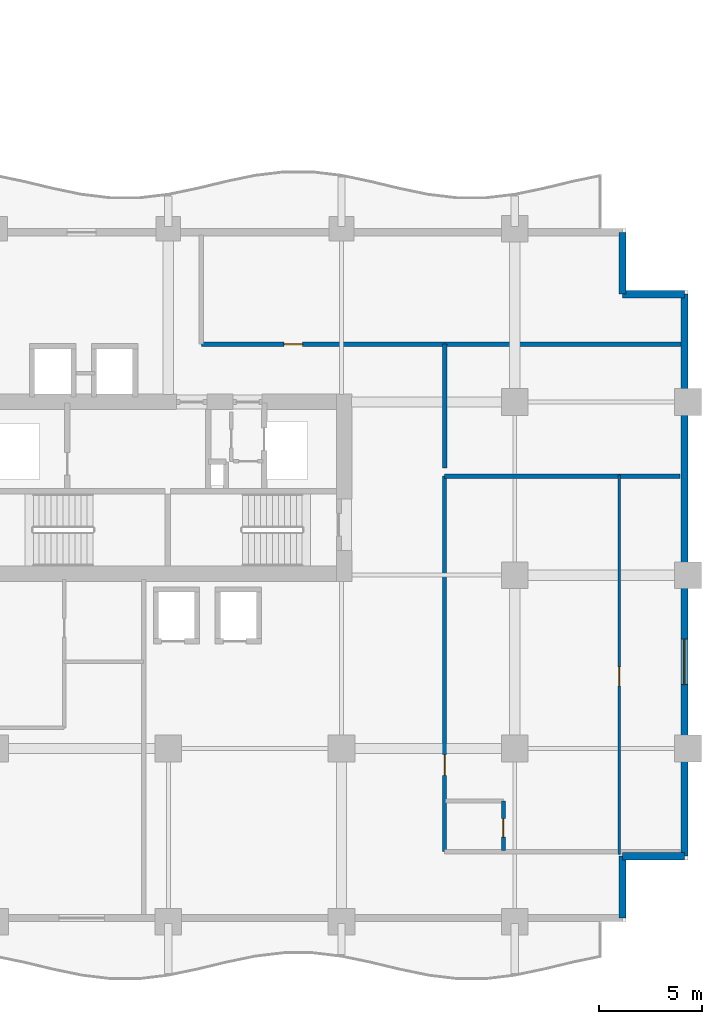
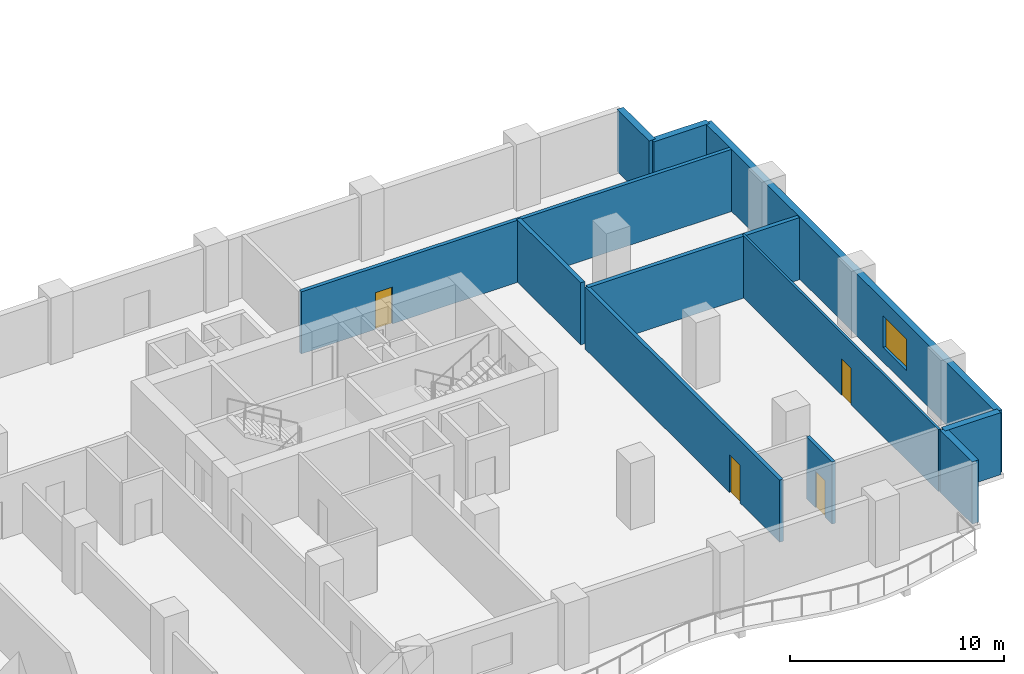
# One storey, part 10 of 17: 11 walls, 4 doors, 1 window, 5 openings.
"""IFC4 building model written with IfcOpenShell, lengths in metres."""

from ifc_helpers import new_model, si_unit, direction, frame, frame_2d, origin, place, context, subcontext, project, spatial, rectangle, extrude, material, layer, layer_set, type_object, element, fill, save


model = new_model("IFC4")

# Units and contexts
model_context = context("Model", 3, precision=1e-05, world=origin(), true_north=direction((0.0, 1.0)))
body_context = subcontext(model_context, "Body", "Model", "MODEL_VIEW")
ifc_project = project(units=[si_unit("LENGTHUNIT", "METRE"), si_unit("AREAUNIT", "SQUARE_METRE"), si_unit("VOLUMEUNIT", "CUBIC_METRE"), si_unit("PLANEANGLEUNIT", "RADIAN"), si_unit("MASSUNIT", "GRAM", prefix="KILO")], contexts=[model_context])

# Site, building, storey
site_placement = place(None, origin())
site = spatial("IfcSite", under=ifc_project, at=site_placement, CompositionType="ELEMENT")
building_placement = place(site_placement, origin())
building = spatial("IfcBuilding", under=site, at=building_placement, Name="Koriwani Terraces Tower", CompositionType="ELEMENT")
storey_placement = place(building_placement, frame((0.0, 0.0, 130.39990234375)))
storey = spatial("IfcBuildingStorey", under=building, at=storey_placement, Name="L31", CompositionType="ELEMENT", Elevation=130.39990234375)

# Wall, opening, door
ifc_material_1 = material(Name="Autoclaved Cellular Concrete Blockwork", Category="masonry")
ifc_layer_1 = layer(ifc_material_1, 0.199951171875, Name="Autoclaved Cellular Concrete Blockwork")
ifc_layer_set_1 = layer_set([ifc_layer_1], Name="Autoclaved Cellular Concrete Blockwork")
wall_type_1 = type_object("IfcWallType", Name="WALL_CORRIDOR_200", PredefinedType="PARTITIONING", material=ifc_layer_set_1)
wall_1_placement = place(storey_placement, frame((63.800048828125, 3.39990234375, 0.0), z_axis=(0.0, 0.0, 1.0), x_axis=(0.0, 1.0, 0.0)))
wall_1 = element("IfcWall", 1, at=wall_1_placement, inside=storey, type_object=wall_type_1, Name="L31 Interior Wall WGB-L31-SETIP-W", PredefinedType="PARTITIONING", context=body_context, shape_type="SweptSolid", body=[
    extrude(rectangle(XDim=18.2001953125, YDim=0.199951171875, at=frame_2d((9.10009765625, 0.0))), origin(), (0.0, 0.0, 1.0), 3.550048828125),
])
opening_1_placement = place(wall_1_placement, frame((3.699951171875, 0.0, 0.0)))
opening_1 = element("IfcOpeningElement", 2, at=opening_1_placement, cuts=wall_1, Name="Opening D-05", PredefinedType="OPENING", context=body_context, shape_type="SweptSolid", body=[
    extrude(rectangle(XDim=1.0, YDim=2.14990234375, at=frame_2d((0.5, 1.074951171875))), frame((0.0, 0.10986328125, 0.0), z_axis=(0.0, -1.0, 0.0), x_axis=(1.0, 0.0, 0.0)), (0.0, 0.0, 1.0), 0.219970703125),
])
ifc_material_2 = material(Name="Architectural Oak Fire Door", Category="wood")
door_type_1 = type_object("IfcDoorType", Name="DOOR_SUITE_ENTRY_1000X2150", OperationType="NOTDEFINED", PredefinedType="DOOR", material=ifc_material_2)
door_1_placement = place(opening_1_placement, origin())
door_1 = element("IfcDoor", 3, at=door_1_placement, inside=storey, type_object=door_type_1, Name="Ambassador Suite 31ET Entrance Door", OperationType="SINGLE_SWING_LEFT", OverallHeight=2.14990234375, OverallWidth=1.0, PredefinedType="DOOR", context=body_context, shape_type="SweptSolid", body=[
    extrude(rectangle(XDim=1.0, YDim=2.14990234375, at=frame_2d((0.5, 1.074951171875))), frame((0.0, 0.02490234375, 0.0), z_axis=(0.0, -1.0, 0.0), x_axis=(1.0, 0.0, 0.0)), (0.0, 0.0, 1.0), 0.050048828125),
])
fill(opening_1, door_1)

wall_2_placement = place(storey_placement, frame((52.0, 28.0, 0.0), z_axis=(0.0, 0.0, 1.0), x_axis=(1.0, 0.0, 0.0)))
wall_2 = element("IfcWall", 4, at=wall_2_placement, inside=storey, type_object=wall_type_1, Name="L31 Interior Wall WSET2-S-L31", PredefinedType="PARTITIONING", context=body_context, shape_type="SweptSolid", body=[
    extrude(rectangle(XDim=23.25, YDim=0.199951171875, at=frame_2d((11.625, 0.0))), origin(), (0.0, 0.0, 1.0), 3.550048828125),
])
opening_2_placement = place(wall_2_placement, frame((4.0, 0.0, 0.0)))
opening_2 = element("IfcOpeningElement", 5, at=opening_2_placement, cuts=wall_2, Name="Opening D-06", PredefinedType="OPENING", context=body_context, shape_type="SweptSolid", body=[
    extrude(rectangle(XDim=0.919921875, YDim=2.10009765625, at=frame_2d((0.4599609375, 1.050048828125))), frame((0.0, 0.10986328125, 0.0), z_axis=(0.0, -1.0, 0.0), x_axis=(1.0, 0.0, 0.0)), (0.0, 0.0, 1.0), 0.219970703125),
])
door_type_2 = type_object("IfcDoorType", Name="DOOR_ROOM_INT_920X2100", OperationType="NOTDEFINED", PredefinedType="DOOR", material=ifc_material_2)
door_2_placement = place(opening_2_placement, origin())
door_2 = element("IfcDoor", 6, at=door_2_placement, inside=storey, type_object=door_type_2, Name="L31 East Court Salon Door", OperationType="SINGLE_SWING_RIGHT", OverallHeight=2.10009765625, OverallWidth=0.919921875, PredefinedType="DOOR", context=body_context, shape_type="SweptSolid", body=[
    extrude(rectangle(XDim=0.919921875, YDim=2.10009765625, at=frame_2d((0.4599609375, 1.050048828125))), frame((0.0, 0.02490234375, 0.0), z_axis=(0.0, -1.0, 0.0), x_axis=(1.0, 0.0, 0.0)), (0.0, 0.0, 1.0), 0.050048828125),
])
fill(opening_2, door_2)

# Walls
ifc_layer_2 = layer(ifc_material_1, 0.219970703125, Name="Autoclaved Cellular Concrete Blockwork")
ifc_layer_set_2 = layer_set([ifc_layer_2], Name="Autoclaved Cellular Concrete Blockwork")
wall_type_2 = type_object("IfcWallType", Name="WALL_DEMISING_220", PredefinedType="PARTITIONING", material=ifc_layer_set_2)
wall_3_placement = place(storey_placement, frame((63.800048828125, 21.60009765625, 0.0), z_axis=(0.0, 0.0, 1.0), x_axis=(1.0, 0.0, 0.0)))
element("IfcWall", 7, at=wall_3_placement, inside=storey, type_object=wall_type_2, Name="L31 Interior Wall WGB-L31-SETIP-N", PredefinedType="PARTITIONING", context=body_context, shape_type="SweptSolid", body=[
    extrude(rectangle(XDim=11.419921875, YDim=0.219970703125, at=frame_2d((5.7099609375, 0.0))), origin(), (0.0, 0.0, 1.0), 3.550048828125),
])
wall_4_placement = place(storey_placement, frame((63.800048828125, 22.0, 0.0), z_axis=(0.0, 0.0, 1.0), x_axis=(0.0, 1.0, 0.0)))
element("IfcWall", 8, at=wall_4_placement, inside=storey, type_object=wall_type_2, Name="L31 Interior Wall WSET2-SW-L31", PredefinedType="PARTITIONING", context=body_context, shape_type="SweptSolid", body=[
    extrude(rectangle(XDim=6.0, YDim=0.219970703125, at=frame_2d((3.0, 0.0))), origin(), (0.0, 0.0, 1.0), 3.550048828125),
])
ifc_material_3 = material(Name="Concrete C50/60", Category="concrete")
ifc_layer_3 = layer(ifc_material_3, 0.35009765625, Name="Concrete C50/60")
ifc_layer_set_3 = layer_set([ifc_layer_3], Name="Concrete C50/60")
wall_type_3 = type_object("IfcWallType", Name="WALL_EXT_BRUTALIST_350", PredefinedType="STANDARD", material=ifc_layer_set_3)
for number, where, z_axis, x_axis, name in (
    (9, (72.425048828125, 33.425048828125, 0.0), (0.0, 0.0, 1.0), (0.0, -1.0, 0.0), "L31 Fair-Faced Brutalist Exterior Wall (N10)"),
    (10, (72.425048828125, 30.425048828125, 0.0), (0.0, 0.0, 1.0), (1.0, 0.0, 0.0), "L31 Fair-Faced Brutalist Exterior Wall (N11)"),
):
    element("IfcWall", number, at=place(storey_placement, frame(where, z_axis=z_axis, x_axis=x_axis)), inside=storey, type_object=wall_type_3, Name=name, PredefinedType="STANDARD", context=body_context, shape_type="SweptSolid", body=[
        extrude(rectangle(XDim=3.0, YDim=0.35009765625, at=frame_2d((1.5, 0.0))), origin(), (0.0, 0.0, 1.0), 3.550048828125),
    ])

# Wall, opening, window
wall_5_placement = place(storey_placement, frame((75.425048828125, 30.425048828125, 0.0), z_axis=(0.0, 0.0, 1.0), x_axis=(0.0, -1.0, 0.0)))
wall_5 = element("IfcWall", 11, at=wall_5_placement, inside=storey, type_object=wall_type_3, Name="L31 Fair-Faced Brutalist Exterior Wall (E_TIP)", PredefinedType="STANDARD", context=body_context, shape_type="SweptSolid", body=[
    extrude(rectangle(XDim=27.25, YDim=0.35009765625, at=frame_2d((13.625, 0.0))), origin(), (0.0, 0.0, 1.0), 3.550048828125),
])
opening_3_placement = place(wall_5_placement, frame((16.72509765625, 0.0, 0.85009765625)))
opening_3 = element("IfcOpeningElement", 12, at=opening_3_placement, cuts=wall_5, Name="Opening W-01", PredefinedType="OPENING", context=body_context, shape_type="SweptSolid", body=[
    extrude(rectangle(XDim=2.199951171875, YDim=1.800048828125, at=frame_2d((1.10009765625, 0.89990234375))), frame((0.0, 0.18505859375, 0.0), z_axis=(0.0, -1.0, 0.0), x_axis=(1.0, 0.0, 0.0)), (0.0, 0.0, 1.0), 0.3701171875),
])
ifc_material_4 = material(Name="Tempered Laminated Low-E Glass", Category="glass")
window_type = type_object("IfcWindowType", Name="WIN_HOTEL_STD_2200X1800", PartitioningType="DOUBLE_PANEL_VERTICAL", PredefinedType="WINDOW", material=ifc_material_4)
window_placement = place(opening_3_placement, origin())
window = element("IfcWindow", 13, at=window_placement, inside=storey, type_object=window_type, Name="L31 Exterior Window (E_TIP-3)", OverallHeight=1.800048828125, OverallWidth=2.199951171875, PartitioningType="SINGLE_PANEL", PredefinedType="WINDOW", context=body_context, shape_type="SweptSolid", body=[
    extrude(rectangle(XDim=2.199951171875, YDim=1.800048828125, at=frame_2d((1.10009765625, 0.89990234375))), frame((0.0, 0.030029296875, 0.0), z_axis=(0.0, -1.0, 0.0), x_axis=(1.0, 0.0, 0.0)), (0.0, 0.0, 1.0), 0.06005859375),
])
fill(opening_3, window)

# Walls
for number, where, z_axis, x_axis, name in (
    (14, (75.425048828125, 3.175048828125, 0.0), (0.0, 0.0, 1.0), (-1.0, 0.0, 0.0), "L31 Fair-Faced Brutalist Exterior Wall (N13)"),
    (15, (72.425048828125, 3.175048828125, 0.0), (0.0, 0.0, 1.0), (0.0, -1.0, 0.0), "L31 Fair-Faced Brutalist Exterior Wall (N14)"),
):
    element("IfcWall", number, at=place(storey_placement, frame(where, z_axis=z_axis, x_axis=x_axis)), inside=storey, type_object=wall_type_3, Name=name, PredefinedType="STANDARD", context=body_context, shape_type="SweptSolid", body=[
        extrude(rectangle(XDim=3.0, YDim=0.35009765625, at=frame_2d((1.5, 0.0))), origin(), (0.0, 0.0, 1.0), 3.550048828125),
    ])

# Wall, opening, door
ifc_material_5 = material(Name="Fire-Rated Acoustic Gypsum Partition", Category="masonry")
ifc_layer_4 = layer(ifc_material_5, 0.125, Name="Fire-Rated Acoustic Gypsum Partition")
ifc_layer_set_4 = layer_set([ifc_layer_4], Name="Fire-Rated Acoustic Gypsum Partition")
wall_type_4 = type_object("IfcWallType", Name="WALL_INT_125", PredefinedType="PARTITIONING", material=ifc_layer_set_4)
wall_6_placement = place(storey_placement, frame((72.27001953125, 3.25, 0.0), z_axis=(0.0, 0.0, 1.0), x_axis=(0.0, 1.0, 0.0)))
wall_6 = element("IfcWall", 16, at=wall_6_placement, inside=storey, type_object=wall_type_4, Name="L31 Interior Wall WGB-L31-SETIP-BD", PredefinedType="PARTITIONING", context=body_context, shape_type="SweptSolid", body=[
    extrude(rectangle(XDim=18.39990234375, YDim=0.125, at=frame_2d((9.199951171875, 0.0))), origin(), (0.0, 0.0, 1.0), 3.550048828125),
])
opening_4_placement = place(wall_6_placement, frame((8.18994140625, 0.0, 0.0)))
opening_4 = element("IfcOpeningElement", 17, at=opening_4_placement, cuts=wall_6, Name="Opening D-06", PredefinedType="OPENING", context=body_context, shape_type="SweptSolid", body=[
    extrude(rectangle(XDim=0.919921875, YDim=2.10009765625, at=frame_2d((0.4599609375, 1.050048828125))), frame((0.0, 0.072509765625, 0.0), z_axis=(0.0, -1.0, 0.0), x_axis=(1.0, 0.0, 0.0)), (0.0, 0.0, 1.0), 0.14501953125),
])
door_3_placement = place(opening_4_placement, origin())
door_3 = element("IfcDoor", 18, at=door_3_placement, inside=storey, type_object=door_type_2, Name="Ambassador Suite 31ET Master Suite Door", OperationType="SINGLE_SWING_LEFT", OverallHeight=2.10009765625, OverallWidth=0.919921875, PredefinedType="DOOR", context=body_context, shape_type="SweptSolid", body=[
    extrude(rectangle(XDim=0.919921875, YDim=2.10009765625, at=frame_2d((0.4599609375, 1.050048828125))), frame((0.0, 0.02490234375, 0.0), z_axis=(0.0, -1.0, 0.0), x_axis=(1.0, 0.0, 0.0)), (0.0, 0.0, 1.0), 0.050048828125),
])
fill(opening_4, door_3)

ifc_layer_5 = layer(ifc_material_5, 0.179931640625, Name="Fire-Rated Acoustic Gypsum Partition")
ifc_layer_set_5 = layer_set([ifc_layer_5], Name="Fire-Rated Acoustic Gypsum Partition")
wall_type_5 = type_object("IfcWallType", Name="WALL_PLUMBING_180", PredefinedType="PLUMBINGWALL", material=ifc_layer_set_5)
wall_7_placement = place(storey_placement, frame((66.64990234375, 3.449951171875, 0.0), z_axis=(0.0, 0.0, 1.0), x_axis=(0.0, 1.0, 0.0)))
wall_7 = element("IfcWall", 19, at=wall_7_placement, inside=storey, type_object=wall_type_5, Name="L31 Interior Wall WGB-L31-SETIP-SVB", PredefinedType="PLUMBINGWALL", context=body_context, shape_type="SweptSolid", body=[
    extrude(rectangle(XDim=2.400146484375, YDim=0.179931640625, at=frame_2d((1.2001953125, 0.0))), origin(), (0.0, 0.0, 1.0), 3.550048828125),
])
opening_5_placement = place(wall_7_placement, frame((0.64990234375, 0.0, 0.0)))
opening_5 = element("IfcOpeningElement", 20, at=opening_5_placement, cuts=wall_7, Name="Opening D-07", PredefinedType="OPENING", context=body_context, shape_type="SweptSolid", body=[
    extrude(rectangle(XDim=0.89990234375, YDim=2.10009765625, at=frame_2d((0.449951171875, 1.050048828125))), frame((0.0, 0.10009765625, 0.0), z_axis=(0.0, -1.0, 0.0), x_axis=(1.0, 0.0, 0.0)), (0.0, 0.0, 1.0), 0.199951171875),
])
door_type_3 = type_object("IfcDoorType", Name="DOOR_BATH_INT_900X2100", OperationType="NOTDEFINED", PredefinedType="DOOR", material=ifc_material_2)
door_4_placement = place(opening_5_placement, origin())
door_4 = element("IfcDoor", 21, at=door_4_placement, inside=storey, type_object=door_type_3, Name="Ambassador Suite 31ET Bathroom Door", OperationType="SINGLE_SWING_RIGHT", OverallHeight=2.10009765625, OverallWidth=0.89990234375, PredefinedType="DOOR", context=body_context, shape_type="SweptSolid", body=[
    extrude(rectangle(XDim=0.89990234375, YDim=2.10009765625, at=frame_2d((0.449951171875, 1.050048828125))), frame((0.0, 0.02490234375, 0.0), z_axis=(0.0, -1.0, 0.0), x_axis=(1.0, 0.0, 0.0)), (0.0, 0.0, 1.0), 0.050048828125),
])
fill(opening_5, door_4)

save(model, "model.ifc")
